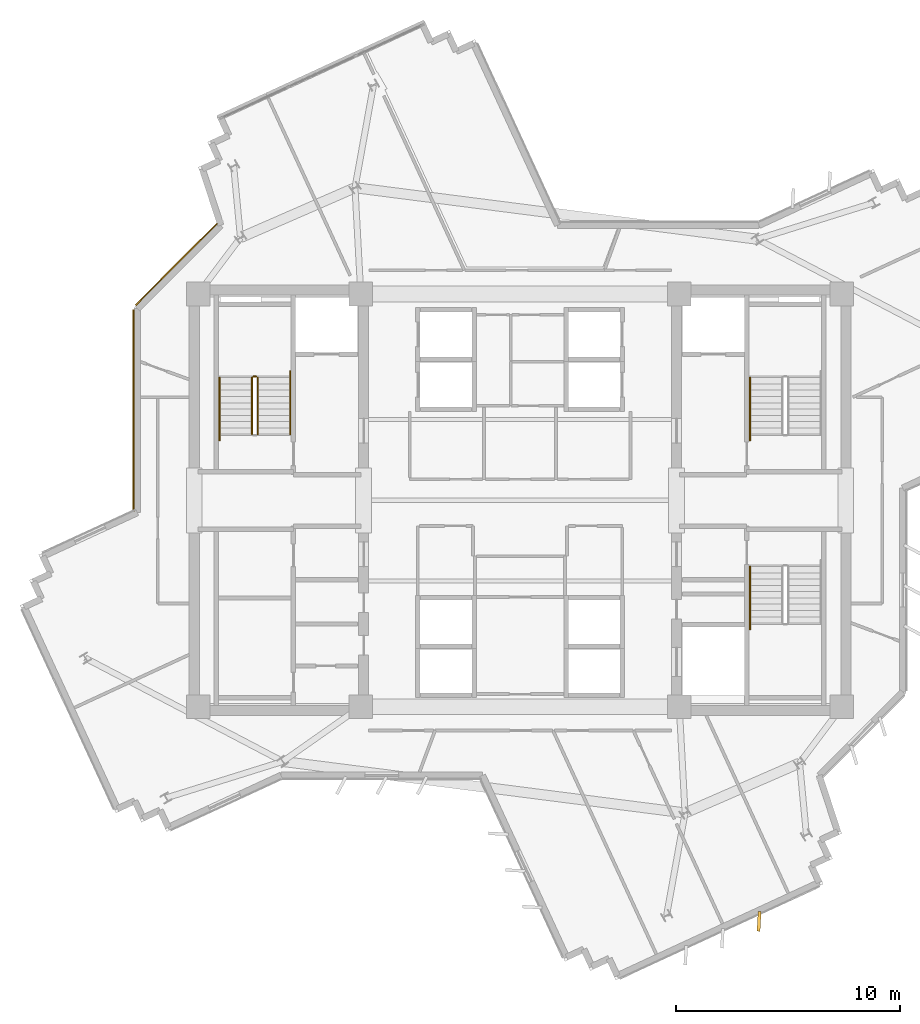
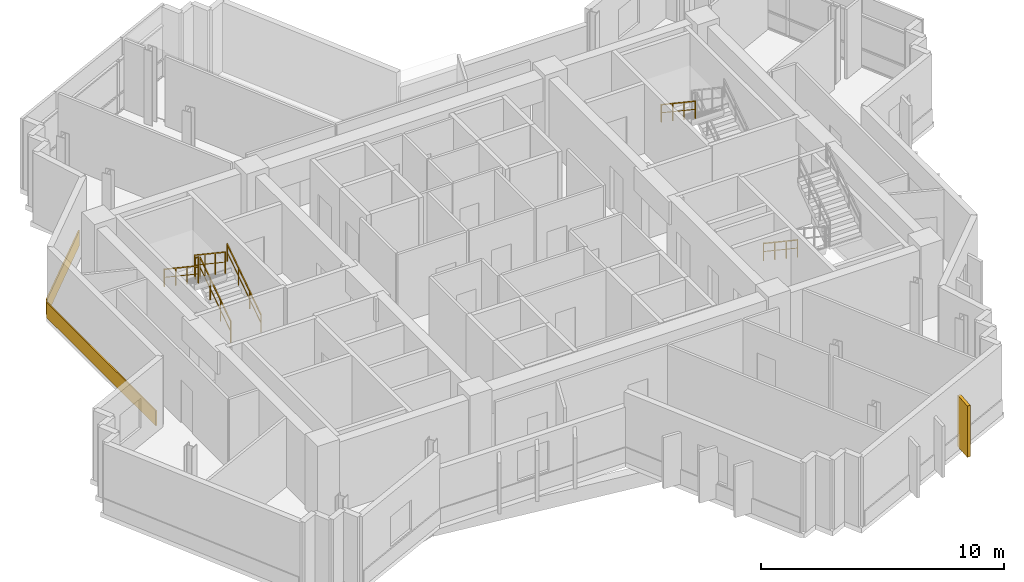
# One storey, part 11 of 12: 7 railings, 3 coverings.
"""IFC4 building model written with IfcOpenShell, lengths in metres."""

import ifcopenshell
import ifcopenshell.guid

model = None  # the IFC model being written
_history = None  # IfcOwnerHistory: only IFC2X3 demands one
_inside = {}  # id of a spatial element -> (the spatial element, [elements in it])
_under = {}  # id of a project, library or spatial element -> (it, [spatial elements below it])
_declared = {}  # id of a project -> (the project, [libraries it declares])
_typed = {}  # id of a type object -> (the type object, [elements of that type])
_made_of = {}  # id of a material, layer set ... -> (it, [elements and type objects made of it])


def new_model(schema):
    """Start an empty IFC model of exactly this schema.

    Asked for "IFC4X3", IfcOpenShell would pick the latest addendum, in which some entities
    have other attributes; the version numbers below select the first issue.
    IFC2X3 requires an IfcOwnerHistory on every rooted entity: one is made here for all.
    """
    global model, _history
    if schema == "IFC4X3":
        model = ifcopenshell.file(schema_version=(4, 3, 0, 0))
    else:
        model = ifcopenshell.file(schema=schema)
    _inside.clear()
    _under.clear()
    _declared.clear()
    _typed.clear()
    _made_of.clear()
    _history = None
    if model.schema == "IFC2X3":
        org = make("IfcOrganization", Name="unknown")
        user = make(
            "IfcPersonAndOrganization",
            ThePerson=make("IfcPerson", FamilyName="unknown"),
            TheOrganization=org,
        )
        app = make(
            "IfcApplication",
            ApplicationDeveloper=org,
            Version="unknown",
            ApplicationFullName="unknown",
            ApplicationIdentifier="unknown",
        )
        _history = make(
            "IfcOwnerHistory",
            OwningUser=user,
            OwningApplication=app,
            ChangeAction="ADDED",
            CreationDate=0,
        )
    return model


def make(cls, **values):
    """One entity of the class cls with the attributes given. An attribute that is None is left unset."""
    return model.create_entity(
        cls, **{name: value for name, value in values.items() if value is not None}
    )


def rooted(cls, **values):
    """An entity with a GlobalId (a new one), such as an element, a storey or a relation."""
    return make(cls, GlobalId=ifcopenshell.guid.new(), OwnerHistory=_history, **values)


def si_unit(unit_type, name, prefix=None):
    """IfcSIUnit, for example si_unit("LENGTHUNIT", "METRE", prefix="MILLI")."""
    return make("IfcSIUnit", UnitType=unit_type, Prefix=prefix, Name=name)


def assignment(units):
    """IfcUnitAssignment: the units of a project."""
    return None if units is None else make("IfcUnitAssignment", Units=units)


def point(xyz):
    """IfcCartesianPoint."""
    return None if xyz is None else make("IfcCartesianPoint", Coordinates=xyz)


def direction(xyz):
    """IfcDirection."""
    return None if xyz is None else make("IfcDirection", DirectionRatios=xyz)


def frame(location, z_axis=None, x_axis=None):
    """IfcAxis2Placement3D, a coordinate frame: its origin and axes. An axis left out is left unset."""
    return make(
        "IfcAxis2Placement3D",
        Location=point(location),
        Axis=direction(z_axis),
        RefDirection=direction(x_axis),
    )


def frame_2d(location, x_axis=None):
    """IfcAxis2Placement2D, a coordinate frame in the plane: its origin and x axis."""
    return make(
        "IfcAxis2Placement2D", Location=point(location), RefDirection=direction(x_axis)
    )


def origin():
    """The frame at (0, 0, 0) with its axes left unset."""
    return frame((0.0, 0.0, 0.0))


def origin_2d():
    """The frame at (0, 0) in the plane with its x axis left unset."""
    return frame_2d((0.0, 0.0))


def place(relative_to, where):
    """IfcLocalPlacement: puts the frame where relative to a parent placement (None: the world)."""
    return make(
        "IfcLocalPlacement", PlacementRelTo=relative_to, RelativePlacement=where
    )


def context(
    kind, dimensions, precision=None, world=None, true_north=None, identifier=None
):
    """IfcGeometricRepresentationContext, for example the 3D "Model" context."""
    return make(
        "IfcGeometricRepresentationContext",
        ContextIdentifier=identifier,
        ContextType=kind,
        CoordinateSpaceDimension=dimensions,
        Precision=precision,
        WorldCoordinateSystem=world,
        TrueNorth=true_north,
    )


def subcontext(parent, identifier, kind, view, scale=None):
    """IfcGeometricRepresentationSubContext, for example "Body" below "Model"."""
    return make(
        "IfcGeometricRepresentationSubContext",
        ContextIdentifier=identifier,
        ContextType=kind,
        ParentContext=parent,
        TargetScale=scale,
        TargetView=view,
    )


def project(units=None, contexts=None):
    """IfcProject with its units and contexts."""
    return rooted(
        "IfcProject",
        Name="project",
        RepresentationContexts=contexts,
        UnitsInContext=assignment(units),
    )


def spatial(cls, under=None, at=None, **own):
    """A site, building, storey or space (cls), placed at a placement, below another one or the project."""
    s = rooted(cls, ObjectPlacement=at, **own)
    if under is not None:
        _under.setdefault(under.id(), (under, []))[1].append(s)
    return s


def profile(cls, at=None, kind="AREA", **sizes):
    """A parametric profile (cls). Its sizes go by their IFC names, for example OverallWidth=200.0."""
    return make(cls, ProfileType=kind, Position=at, **sizes)


def rectangle(**sizes):
    """IfcRectangleProfileDef."""
    return profile("IfcRectangleProfileDef", **sizes)


def extrude(swept, where, along, depth):
    """IfcExtrudedAreaSolid: the profile swept, set in the frame where, extruded along a direction by depth."""
    return make(
        "IfcExtrudedAreaSolid",
        SweptArea=swept,
        Position=where,
        ExtrudedDirection=direction(along),
        Depth=depth,
    )


def shape(context_of_items, identifier, shape_type, items):
    """IfcShapeRepresentation: the items that make up one representation, for example the "Body"."""
    return make(
        "IfcShapeRepresentation",
        ContextOfItems=context_of_items,
        RepresentationIdentifier=identifier,
        RepresentationType=shape_type,
        Items=items,
    )


def source(mapping_origin, context_of_items, identifier, shape_type, items):
    """IfcRepresentationMap: a shape defined once, which mapped items show again and again."""
    return make(
        "IfcRepresentationMap",
        MappingOrigin=mapping_origin,
        MappedRepresentation=shape(context_of_items, identifier, shape_type, items),
    )


def transform(
    local_origin,
    x_axis=None,
    y_axis=None,
    z_axis=None,
    scale=None,
    scale2=None,
    scale3=None,
    uniform=True,
):
    """IfcCartesianTransformationOperator3D, or its non-uniform kind. x_axis, y_axis, z_axis: its Axis1, 2, 3."""
    if uniform:
        return make(
            "IfcCartesianTransformationOperator3D",
            Axis1=direction(x_axis),
            Axis2=direction(y_axis),
            LocalOrigin=point(local_origin),
            Scale=scale,
            Axis3=direction(z_axis),
        )
    return make(
        "IfcCartesianTransformationOperator3DnonUniform",
        Axis1=direction(x_axis),
        Axis2=direction(y_axis),
        LocalOrigin=point(local_origin),
        Scale=scale,
        Axis3=direction(z_axis),
        Scale2=scale2,
        Scale3=scale3,
    )


def mapped(mapping_source, mapping_target):
    """IfcMappedItem: shows the shape of a source again, moved by a transform."""
    return make(
        "IfcMappedItem", MappingSource=mapping_source, MappingTarget=mapping_target
    )


def material(Name=None, Category=None):
    """IfcMaterial."""
    return make("IfcMaterial", Name=Name, Category=Category)


def layer(
    of_material, thickness, ventilated=None, Name=None, Category=None, Priority=None
):
    """IfcMaterialLayer: one layer of a wall or slab, of a material (None: an air gap)."""
    return make(
        "IfcMaterialLayer",
        Material=of_material,
        LayerThickness=thickness,
        IsVentilated=ventilated,
        Name=Name,
        Category=Category,
        Priority=Priority,
    )


def layer_set(layers, Name=None):
    """IfcMaterialLayerSet."""
    return make("IfcMaterialLayerSet", MaterialLayers=layers, LayerSetName=Name)


def made_of(thing, what):
    """Note that an element or type object is made of a material, layer set ...; save() writes the relation."""
    if what is not None:
        _made_of.setdefault(what.id(), (what, []))[1].append(thing)
    return thing


def type_object(cls, material=None, **own):
    """A type object (cls), such as IfcWallType, which elements share."""
    return made_of(rooted(cls, **own), material)


def element(
    cls,
    number,
    at=None,
    inside=None,
    cuts=None,
    type_object=None,
    material=None,
    context=None,
    identifier="Body",
    shape_type=None,
    held_by="IfcProductDefinitionShape",
    body=None,
    shapes=None,
    **own,
):
    """One element of the class cls, such as IfcWall. Its Tag is "e" and its number.

    at: its placement. inside: the storey or other place that contains it. cuts: it is an
    opening in that element (IfcRelVoidsElement). A single representation is given by context,
    identifier, shape_type and body (its items); several are given by shapes. held_by: the class
    of the entity that holds the representations. save() writes the other relations.
    """
    e = rooted(cls, Tag="e%d" % number, ObjectPlacement=at, **own)
    if body is not None:
        shapes = [shape(context, identifier, shape_type, body)]
    if shapes is not None:
        e.Representation = make(held_by, Representations=shapes)
    if inside is not None:
        _inside.setdefault(inside.id(), (inside, []))[1].append(e)
    if cuts is not None:
        rooted(
            "IfcRelVoidsElement", RelatingBuildingElement=cuts, RelatedOpeningElement=e
        )
    if type_object is not None:
        _typed.setdefault(type_object.id(), (type_object, []))[1].append(e)
    return made_of(e, material)


def aggregate(whole, parts):
    """IfcRelAggregates: a whole, such as a stair, and the parts it consists of."""
    return rooted("IfcRelAggregates", RelatingObject=whole, RelatedObjects=parts)


def save(model, path):
    """Write the relations noted so far, then the file.

    IfcRelAggregates (storeys below a building ...), IfcRelContainedInSpatialStructure (elements
    in a storey), IfcRelDefinesByType, IfcRelAssociatesMaterial and IfcRelDeclares: one each for
    every whole, place, type object, material and project.
    """
    for whole, parts in _under.values():
        aggregate(whole, parts)
    for where, things in _inside.values():
        rooted(
            "IfcRelContainedInSpatialStructure",
            RelatedElements=things,
            RelatingStructure=where,
        )
    for kind, things in _typed.values():
        rooted("IfcRelDefinesByType", RelatedObjects=things, RelatingType=kind)
    for what, things in _made_of.values():
        rooted("IfcRelAssociatesMaterial", RelatedObjects=things, RelatingMaterial=what)
    for by, libraries in _declared.values():
        rooted("IfcRelDeclares", RelatingContext=by, RelatedDefinitions=libraries)
    model.write(path)


model = new_model("IFC4")

# Units and contexts
model_context = context("Model", 3, precision=1e-05, world=origin(), true_north=direction((0.0, 1.0)))
body_context = subcontext(model_context, "Body", "Model", "MODEL_VIEW")
ifc_project = project(units=[si_unit("LENGTHUNIT", "METRE"), si_unit("AREAUNIT", "SQUARE_METRE"), si_unit("VOLUMEUNIT", "CUBIC_METRE"), si_unit("PLANEANGLEUNIT", "RADIAN"), si_unit("MASSUNIT", "GRAM", prefix="KILO")], contexts=[model_context])

# Site, building, storey
site_placement = place(None, origin())
site = spatial("IfcSite", under=ifc_project, at=site_placement, CompositionType="ELEMENT")
building_placement = place(site_placement, origin())
building = spatial("IfcBuilding", under=site, at=building_placement, Name="Zahravan Cultural Tower", CompositionType="ELEMENT")
storey_placement = place(building_placement, frame((0.0, 0.0, 239.10009765625)))
storey = spatial("IfcBuildingStorey", under=building, at=storey_placement, Name="L56", CompositionType="ELEMENT", Elevation=239.10009765625)

# Railings
ifc_material_1 = material(Name="Steel ASTM A572 Grade 50", Category="steel")
railing_type_1 = type_object("IfcRailingType", Name="RL-STAIR-GRD1150", PredefinedType="BALUSTRADE", material=ifc_material_1)
railing_1_placement = place(storey_placement, frame((24.300048828125, 29.949951171875, 0.1875)))
element("IfcRailing", 1, at=railing_1_placement, inside=storey, type_object=railing_type_1, Name="L56 ST-W1 stair guard 1", PredefinedType="BALUSTRADE", context=body_context, shape_type="SweptSolid", body=[
    extrude(rectangle(XDim=0.05, YDim=0.05, at=origin_2d()), frame((0.0, 0.0, 1.0751953125), z_axis=(0.0, 0.830909170722, 0.55640807867), x_axis=(-1.0, 0.0, 0.0)), (0.0, 0.0, 1.0), 3.032958984375),
    extrude(rectangle(XDim=0.032, YDim=0.032, at=origin_2d()), frame((0.0, 0.0, 0.572021484375), z_axis=(0.0, 0.830909170722, 0.55640807867), x_axis=(-1.0, 0.0, 0.0)), (0.0, 0.0, 1.0), 3.032958984375),
    extrude(rectangle(XDim=0.04, YDim=0.04, at=origin_2d()), origin(), (0.0, 0.0, 1.0), 1.10009765625),
    extrude(rectangle(XDim=0.04, YDim=0.04, at=origin_2d()), frame((0.0, 0.840087890625, 0.5625)), (0.0, 0.0, 1.0), 1.10009765625),
    extrude(rectangle(XDim=0.04, YDim=0.04, at=origin_2d()), frame((0.0, 1.679931640625, 1.125)), (0.0, 0.0, 1.0), 1.10009765625),
    extrude(rectangle(XDim=0.04, YDim=0.04, at=origin_2d()), frame((0.0, 2.52001953125, 1.6875)), (0.0, 0.0, 1.0), 1.10009765625),
])
railing_2_placement = place(storey_placement, frame((24.25, 32.52001953125, 1.875)))
element("IfcRailing", 2, at=railing_2_placement, inside=storey, type_object=railing_type_1, Name="L56 ST-W1 stair guard 2", PredefinedType="BALUSTRADE", context=body_context, shape_type="SweptSolid", body=[
    extrude(rectangle(XDim=0.05, YDim=0.05, at=origin_2d()), frame((0.0, 0.0, 1.0751953125), z_axis=(-1.0, 0.0, 0.0), x_axis=(0.0, -1.0, 0.0)), (0.0, 0.0, 1.0), 0.14990234375),
    extrude(rectangle(XDim=0.032, YDim=0.032, at=origin_2d()), frame((0.0, 0.0, 0.572021484375), z_axis=(-1.0, 0.0, 0.0), x_axis=(0.0, -1.0, 0.0)), (0.0, 0.0, 1.0), 0.14990234375),
    extrude(rectangle(XDim=0.04, YDim=0.04, at=origin_2d()), origin(), (0.0, 0.0, 1.0), 1.10009765625),
    extrude(rectangle(XDim=0.04, YDim=0.04, at=origin_2d()), frame((-0.14990234375, 0.0, 0.0)), (0.0, 0.0, 1.0), 1.10009765625),
])
railing_3_placement = place(storey_placement, frame((24.050048828125, 32.469970703125, 2.0625)))
element("IfcRailing", 3, at=railing_3_placement, inside=storey, type_object=railing_type_1, Name="L56 ST-W1 stair guard 3", PredefinedType="BALUSTRADE", context=body_context, shape_type="SweptSolid", body=[
    extrude(rectangle(XDim=0.05, YDim=0.05, at=origin_2d()), frame((0.0, 0.0, 1.0751953125), z_axis=(0.0, -0.830909170722, 0.55640807867), x_axis=(1.0, 0.0, 0.0)), (0.0, 0.0, 1.0), 3.032958984375),
    extrude(rectangle(XDim=0.032, YDim=0.032, at=origin_2d()), frame((0.0, 0.0, 0.572021484375), z_axis=(0.0, -0.830909170722, 0.55640807867), x_axis=(1.0, 0.0, 0.0)), (0.0, 0.0, 1.0), 3.032958984375),
    extrude(rectangle(XDim=0.04, YDim=0.04, at=origin_2d()), origin(), (0.0, 0.0, 1.0), 1.10009765625),
    extrude(rectangle(XDim=0.04, YDim=0.04, at=origin_2d()), frame((0.0, -0.840087890625, 0.5625)), (0.0, 0.0, 1.0), 1.10009765625),
    extrude(rectangle(XDim=0.04, YDim=0.04, at=origin_2d()), frame((0.0, -1.679931640625, 1.125)), (0.0, 0.0, 1.0), 1.10009765625),
    extrude(rectangle(XDim=0.04, YDim=0.04, at=origin_2d()), frame((0.0, -2.52001953125, 1.6875)), (0.0, 0.0, 1.0), 1.10009765625),
])
railing_type_2 = type_object("IfcRailingType", Name="RL-STAIR-HR900", PredefinedType="HANDRAIL", material=ifc_material_1)
railing_4_placement = place(storey_placement, frame((25.75, 29.949951171875, 0.1875)))
element("IfcRailing", 4, at=railing_4_placement, inside=storey, type_object=railing_type_2, Name="L56 ST-W1 stair handrail 1", PredefinedType="HANDRAIL", context=body_context, shape_type="SweptSolid", body=[
    extrude(rectangle(XDim=0.05, YDim=0.05, at=origin_2d()), frame((0.0, 0.0, 0.875), z_axis=(0.0, 0.830911662861, 0.55640435703), x_axis=(-1.0, 0.0, 0.0)), (0.0, 0.0, 1.0), 3.369873046875),
    extrude(rectangle(XDim=0.032, YDim=0.032, at=origin_2d()), frame((0.0, 0.0, 0.468017578125), z_axis=(0.0, 0.830911662861, 0.55640435703), x_axis=(-1.0, 0.0, 0.0)), (0.0, 0.0, 1.0), 3.369873046875),
    extrude(rectangle(XDim=0.04, YDim=0.04, at=origin_2d()), origin(), (0.0, 0.0, 1.0), 0.89990234375),
    extrude(rectangle(XDim=0.04, YDim=0.04, at=origin_2d()), frame((0.0, 0.933349609375, 0.625)), (0.0, 0.0, 1.0), 0.89990234375),
    extrude(rectangle(XDim=0.04, YDim=0.04, at=origin_2d()), frame((0.0, 1.86669921875, 1.25)), (0.0, 0.0, 1.0), 0.89990234375),
    extrude(rectangle(XDim=0.04, YDim=0.04, at=origin_2d()), frame((0.0, 2.800048828125, 1.875)), (0.0, 0.0, 1.0), 0.89990234375),
])
for number, where, name in (
    (5, (22.60009765625, 32.469970703125, 2.0625), "L56 ST-W1 stair handrail 2"),
    (6, (46.25, 32.469970703125, 2.0625), "L56 ST-E1 stair handrail 2"),
    (7, (46.25, 24.050048828125, 0.1875), "L56 ST-E2 stair handrail 1"),
):
    element("IfcRailing", number, at=place(storey_placement, frame(where)), inside=storey, type_object=railing_type_2, Name=name, PredefinedType="HANDRAIL", context=body_context, shape_type="SweptSolid", body=[
        extrude(rectangle(XDim=0.05, YDim=0.05, at=origin_2d()), frame((0.0, 0.0, 0.875), z_axis=(0.0, -0.830911662861, 0.55640435703), x_axis=(1.0, 0.0, 0.0)), (0.0, 0.0, 1.0), 3.369873046875),
        extrude(rectangle(XDim=0.032, YDim=0.032, at=origin_2d()), frame((0.0, 0.0, 0.468017578125), z_axis=(0.0, -0.830911662861, 0.55640435703), x_axis=(1.0, 0.0, 0.0)), (0.0, 0.0, 1.0), 3.369873046875),
        extrude(rectangle(XDim=0.04, YDim=0.04, at=origin_2d()), origin(), (0.0, 0.0, 1.0), 0.89990234375),
        extrude(rectangle(XDim=0.04, YDim=0.04, at=origin_2d()), frame((0.0, -0.933349609375, 0.625)), (0.0, 0.0, 1.0), 0.89990234375),
        extrude(rectangle(XDim=0.04, YDim=0.04, at=origin_2d()), frame((0.0, -1.86669921875, 1.25)), (0.0, 0.0, 1.0), 0.89990234375),
        extrude(rectangle(XDim=0.04, YDim=0.04, at=origin_2d()), frame((0.0, -2.800048828125, 1.875)), (0.0, 0.0, 1.0), 0.89990234375),
    ])

# Coverings
ifc_material_2 = material(Name="Terracotta ceramic cladding", Category="masonry")
ifc_layer = layer(ifc_material_2, 0.06005859375)
ifc_layer_set = layer_set([ifc_layer], Name="Terracotta ceramic cladding")
covering_type = type_object("IfcCoveringType", Name="COV-CLAD-TC60", PredefinedType="CLADDING", material=ifc_layer_set)
shared_shape_1 = source(origin(), body_context, "Body", "SweptSolid", [
    extrude(rectangle(XDim=5.157958984375, YDim=0.06005859375, at=origin_2d()), origin(), (0.0, 0.0, 1.0), 0.760009765625),
])
covering_1_placement = place(storey_placement, frame((20.682373046875, 37.517578125, 0.02001953125), z_axis=(0.0, 0.0, 1.0), x_axis=(0.707106781187, 0.707106781187, 0.0)))
element("IfcCovering", 8, at=covering_1_placement, inside=storey, type_object=covering_type, Name="L56 Terracotta Spandrel Cladding 37", PredefinedType="CLADDING", context=body_context, shape_type="MappedRepresentation", body=[
    mapped(shared_shape_1, transform((0.0, 0.0, 0.0), x_axis=(1.0, 0.0, 0.0), y_axis=(0.0, 1.0, 0.0), z_axis=(0.0, 0.0, 1.0), scale=1.0)),
])
shared_shape_2 = source(origin(), body_context, "Body", "SweptSolid", [
    extrude(rectangle(XDim=0.8798828125, YDim=0.139892578125, at=origin_2d()), origin(), (0.0, 0.0, 1.0), 2.580078125),
])
covering_2_placement = place(storey_placement, frame((46.656494140625, 8.228759765625, 0.0498046875), z_axis=(0.0, 0.0, 1.0), x_axis=(-0.055821504993, -0.998440764182, 0.0)))
element("IfcCovering", 9, at=covering_2_placement, inside=storey, type_object=covering_type, Name="L56 Herringbone Terracotta Fin 09", PredefinedType="CLADDING", context=body_context, shape_type="MappedRepresentation", body=[
    mapped(shared_shape_2, transform((0.0, 0.0, 0.0), x_axis=(1.0, 0.0, 0.0), y_axis=(0.0, 1.0, 0.0), z_axis=(0.0, 0.0, 1.0), scale=1.0)),
])
shared_shape_3 = source(origin(), body_context, "Body", "SweptSolid", [
    extrude(rectangle(XDim=8.98828125, YDim=0.06005859375, at=origin_2d()), origin(), (0.0, 0.0, 1.0), 0.760009765625),
])
covering_3_placement = place(storey_placement, frame((18.77490234375, 30.997802734375, 0.02001953125), z_axis=(0.0, 0.0, 1.0), x_axis=(0.0, 1.0, 0.0)))
element("IfcCovering", 10, at=covering_3_placement, inside=storey, type_object=covering_type, Name="L56 Terracotta Spandrel Cladding 36", PredefinedType="CLADDING", context=body_context, shape_type="MappedRepresentation", body=[
    mapped(shared_shape_3, transform((0.0, 0.0, 0.0), x_axis=(1.0, 0.0, 0.0), y_axis=(0.0, 1.0, 0.0), z_axis=(0.0, 0.0, 1.0), scale=1.0)),
])

save(model, "model.ifc")
